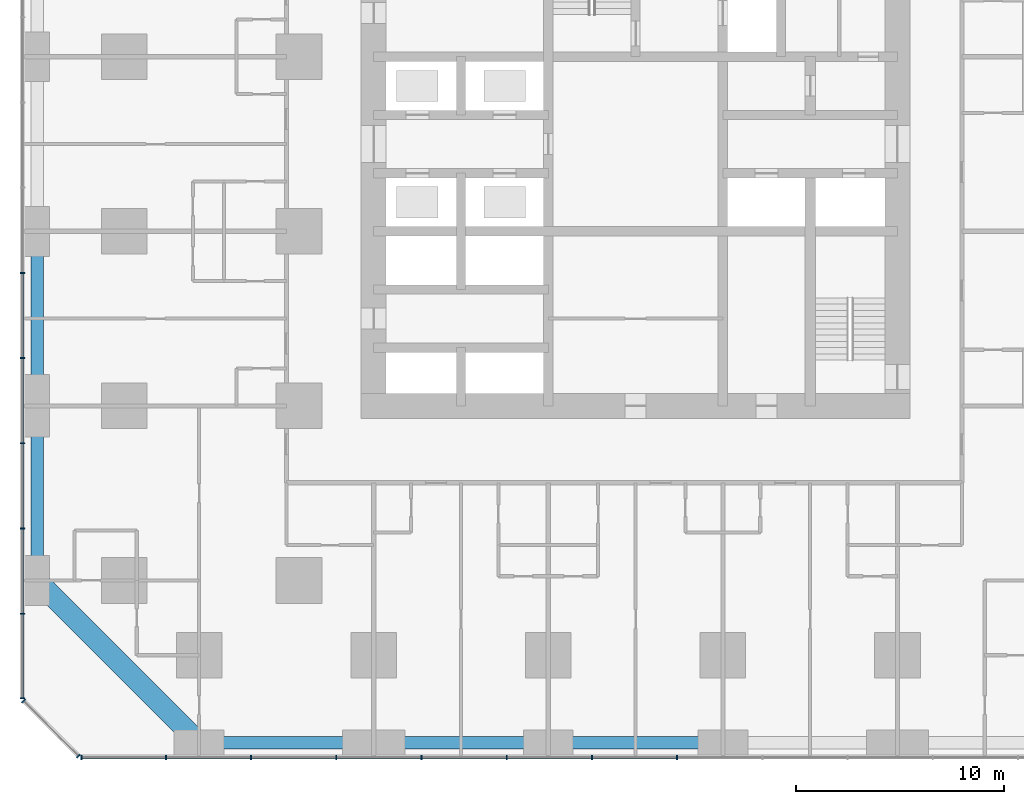
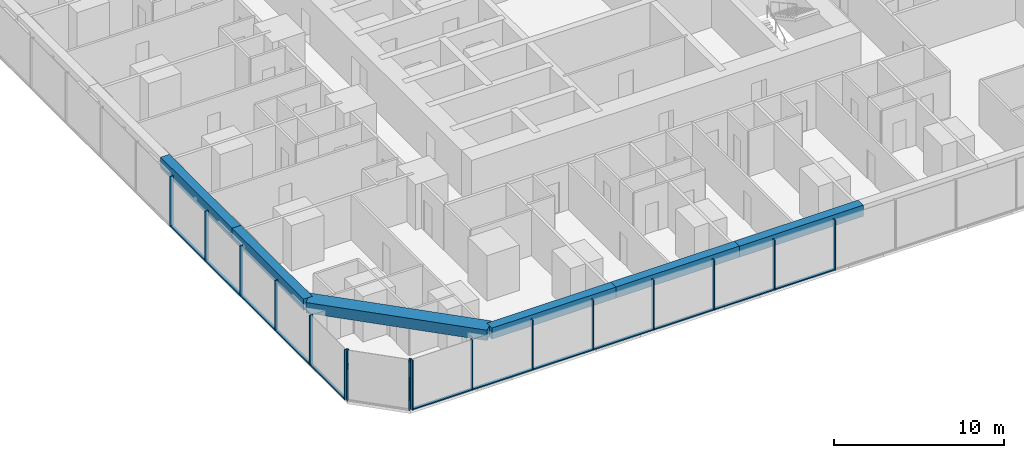
# One storey, part 2 of 16: 28 members, 6 beams, 3 elements without a shape of their own.
"""IFC4 building model written with IfcOpenShell, lengths in metres."""

import ifcopenshell
import ifcopenshell.guid

model = None  # the IFC model being written
_history = None  # IfcOwnerHistory: only IFC2X3 demands one
_inside = {}  # id of a spatial element -> (the spatial element, [elements in it])
_under = {}  # id of a project, library or spatial element -> (it, [spatial elements below it])
_declared = {}  # id of a project -> (the project, [libraries it declares])
_typed = {}  # id of a type object -> (the type object, [elements of that type])
_made_of = {}  # id of a material, layer set ... -> (it, [elements and type objects made of it])


def new_model(schema):
    """Start an empty IFC model of exactly this schema.

    Asked for "IFC4X3", IfcOpenShell would pick the latest addendum, in which some entities
    have other attributes; the version numbers below select the first issue.
    IFC2X3 requires an IfcOwnerHistory on every rooted entity: one is made here for all.
    """
    global model, _history
    if schema == "IFC4X3":
        model = ifcopenshell.file(schema_version=(4, 3, 0, 0))
    else:
        model = ifcopenshell.file(schema=schema)
    _inside.clear()
    _under.clear()
    _declared.clear()
    _typed.clear()
    _made_of.clear()
    _history = None
    if model.schema == "IFC2X3":
        org = make("IfcOrganization", Name="unknown")
        user = make(
            "IfcPersonAndOrganization",
            ThePerson=make("IfcPerson", FamilyName="unknown"),
            TheOrganization=org,
        )
        app = make(
            "IfcApplication",
            ApplicationDeveloper=org,
            Version="unknown",
            ApplicationFullName="unknown",
            ApplicationIdentifier="unknown",
        )
        _history = make(
            "IfcOwnerHistory",
            OwningUser=user,
            OwningApplication=app,
            ChangeAction="ADDED",
            CreationDate=0,
        )
    return model


def make(cls, **values):
    """One entity of the class cls with the attributes given. An attribute that is None is left unset."""
    return model.create_entity(
        cls, **{name: value for name, value in values.items() if value is not None}
    )


def rooted(cls, **values):
    """An entity with a GlobalId (a new one), such as an element, a storey or a relation."""
    return make(cls, GlobalId=ifcopenshell.guid.new(), OwnerHistory=_history, **values)


def si_unit(unit_type, name, prefix=None):
    """IfcSIUnit, for example si_unit("LENGTHUNIT", "METRE", prefix="MILLI")."""
    return make("IfcSIUnit", UnitType=unit_type, Prefix=prefix, Name=name)


def assignment(units):
    """IfcUnitAssignment: the units of a project."""
    return None if units is None else make("IfcUnitAssignment", Units=units)


def point(xyz):
    """IfcCartesianPoint."""
    return None if xyz is None else make("IfcCartesianPoint", Coordinates=xyz)


def direction(xyz):
    """IfcDirection."""
    return None if xyz is None else make("IfcDirection", DirectionRatios=xyz)


def frame(location, z_axis=None, x_axis=None):
    """IfcAxis2Placement3D, a coordinate frame: its origin and axes. An axis left out is left unset."""
    return make(
        "IfcAxis2Placement3D",
        Location=point(location),
        Axis=direction(z_axis),
        RefDirection=direction(x_axis),
    )


def frame_2d(location, x_axis=None):
    """IfcAxis2Placement2D, a coordinate frame in the plane: its origin and x axis."""
    return make(
        "IfcAxis2Placement2D", Location=point(location), RefDirection=direction(x_axis)
    )


def origin():
    """The frame at (0, 0, 0) with its axes left unset."""
    return frame((0.0, 0.0, 0.0))


def origin_2d():
    """The frame at (0, 0) in the plane with its x axis left unset."""
    return frame_2d((0.0, 0.0))


def place(relative_to, where):
    """IfcLocalPlacement: puts the frame where relative to a parent placement (None: the world)."""
    return make(
        "IfcLocalPlacement", PlacementRelTo=relative_to, RelativePlacement=where
    )


def context(
    kind, dimensions, precision=None, world=None, true_north=None, identifier=None
):
    """IfcGeometricRepresentationContext, for example the 3D "Model" context."""
    return make(
        "IfcGeometricRepresentationContext",
        ContextIdentifier=identifier,
        ContextType=kind,
        CoordinateSpaceDimension=dimensions,
        Precision=precision,
        WorldCoordinateSystem=world,
        TrueNorth=true_north,
    )


def subcontext(parent, identifier, kind, view, scale=None):
    """IfcGeometricRepresentationSubContext, for example "Body" below "Model"."""
    return make(
        "IfcGeometricRepresentationSubContext",
        ContextIdentifier=identifier,
        ContextType=kind,
        ParentContext=parent,
        TargetScale=scale,
        TargetView=view,
    )


def project(units=None, contexts=None):
    """IfcProject with its units and contexts."""
    return rooted(
        "IfcProject",
        Name="project",
        RepresentationContexts=contexts,
        UnitsInContext=assignment(units),
    )


def spatial(cls, under=None, at=None, **own):
    """A site, building, storey or space (cls), placed at a placement, below another one or the project."""
    s = rooted(cls, ObjectPlacement=at, **own)
    if under is not None:
        _under.setdefault(under.id(), (under, []))[1].append(s)
    return s


def profile(cls, at=None, kind="AREA", **sizes):
    """A parametric profile (cls). Its sizes go by their IFC names, for example OverallWidth=200.0."""
    return make(cls, ProfileType=kind, Position=at, **sizes)


def rectangle(**sizes):
    """IfcRectangleProfileDef."""
    return profile("IfcRectangleProfileDef", **sizes)


def extrude(swept, where, along, depth):
    """IfcExtrudedAreaSolid: the profile swept, set in the frame where, extruded along a direction by depth."""
    return make(
        "IfcExtrudedAreaSolid",
        SweptArea=swept,
        Position=where,
        ExtrudedDirection=direction(along),
        Depth=depth,
    )


def shape(context_of_items, identifier, shape_type, items):
    """IfcShapeRepresentation: the items that make up one representation, for example the "Body"."""
    return make(
        "IfcShapeRepresentation",
        ContextOfItems=context_of_items,
        RepresentationIdentifier=identifier,
        RepresentationType=shape_type,
        Items=items,
    )


def material(Name=None, Category=None):
    """IfcMaterial."""
    return make("IfcMaterial", Name=Name, Category=Category)


def material_profile(
    of_material, cross_section, Name=None, Category=None, Priority=None
):
    """IfcMaterialProfile: a cross section and its material."""
    return make(
        "IfcMaterialProfile",
        Name=Name,
        Material=of_material,
        Profile=cross_section,
        Priority=Priority,
        Category=Category,
    )


def profile_set(profiles, Name=None, composite=None):
    """IfcMaterialProfileSet."""
    return make(
        "IfcMaterialProfileSet",
        Name=Name,
        MaterialProfiles=profiles,
        CompositeProfile=composite,
    )


def made_of(thing, what):
    """Note that an element or type object is made of a material, layer set ...; save() writes the relation."""
    if what is not None:
        _made_of.setdefault(what.id(), (what, []))[1].append(thing)
    return thing


def type_object(cls, material=None, **own):
    """A type object (cls), such as IfcWallType, which elements share."""
    return made_of(rooted(cls, **own), material)


def element(
    cls,
    number,
    at=None,
    inside=None,
    cuts=None,
    type_object=None,
    material=None,
    context=None,
    identifier="Body",
    shape_type=None,
    held_by="IfcProductDefinitionShape",
    body=None,
    shapes=None,
    **own,
):
    """One element of the class cls, such as IfcWall. Its Tag is "e" and its number.

    at: its placement. inside: the storey or other place that contains it. cuts: it is an
    opening in that element (IfcRelVoidsElement). A single representation is given by context,
    identifier, shape_type and body (its items); several are given by shapes. held_by: the class
    of the entity that holds the representations. save() writes the other relations.
    """
    e = rooted(cls, Tag="e%d" % number, ObjectPlacement=at, **own)
    if body is not None:
        shapes = [shape(context, identifier, shape_type, body)]
    if shapes is not None:
        e.Representation = make(held_by, Representations=shapes)
    if inside is not None:
        _inside.setdefault(inside.id(), (inside, []))[1].append(e)
    if cuts is not None:
        rooted(
            "IfcRelVoidsElement", RelatingBuildingElement=cuts, RelatedOpeningElement=e
        )
    if type_object is not None:
        _typed.setdefault(type_object.id(), (type_object, []))[1].append(e)
    return made_of(e, material)


def aggregate(whole, parts):
    """IfcRelAggregates: a whole, such as a stair, and the parts it consists of."""
    return rooted("IfcRelAggregates", RelatingObject=whole, RelatedObjects=parts)


def save(model, path):
    """Write the relations noted so far, then the file.

    IfcRelAggregates (storeys below a building ...), IfcRelContainedInSpatialStructure (elements
    in a storey), IfcRelDefinesByType, IfcRelAssociatesMaterial and IfcRelDeclares: one each for
    every whole, place, type object, material and project.
    """
    for whole, parts in _under.values():
        aggregate(whole, parts)
    for where, things in _inside.values():
        rooted(
            "IfcRelContainedInSpatialStructure",
            RelatedElements=things,
            RelatingStructure=where,
        )
    for kind, things in _typed.values():
        rooted("IfcRelDefinesByType", RelatedObjects=things, RelatingType=kind)
    for what, things in _made_of.values():
        rooted("IfcRelAssociatesMaterial", RelatedObjects=things, RelatingMaterial=what)
    for by, libraries in _declared.values():
        rooted("IfcRelDeclares", RelatingContext=by, RelatedDefinitions=libraries)
    model.write(path)


model = new_model("IFC4")

# Units and contexts
model_context = context("Model", 3, precision=1e-05, world=origin(), true_north=direction((0.0, 1.0)))
body_context = subcontext(model_context, "Body", "Model", "MODEL_VIEW")
ifc_project = project(units=[si_unit("LENGTHUNIT", "METRE"), si_unit("AREAUNIT", "SQUARE_METRE"), si_unit("VOLUMEUNIT", "CUBIC_METRE"), si_unit("PLANEANGLEUNIT", "RADIAN"), si_unit("MASSUNIT", "GRAM", prefix="KILO")], contexts=[model_context])

# Site, building, storey
site_placement = place(None, origin())
site = spatial("IfcSite", under=ifc_project, at=site_placement, CompositionType="ELEMENT")
building_placement = place(site_placement, origin())
building = spatial("IfcBuilding", under=site, at=building_placement, Name="Dunama Terrace Hotel", CompositionType="ELEMENT")
storey_placement = place(building_placement, frame((0.0, 0.0, 93.60009765625)))
storey = spatial("IfcBuildingStorey", under=building, at=storey_placement, Name="L23", CompositionType="ELEMENT", Elevation=93.60009765625)

# Curtain wall, members
ifc_material_1 = material(Name="Aluminium curtain wall system", Category="aluminium")
curtain_wall_type = type_object("IfcCurtainWallType", Name="Unitised fritted glass wall CW-B", PredefinedType="NOTDEFINED", material=ifc_material_1)
curtain_wall_1_placement = place(storey_placement, origin())
curtain_wall_1 = element("IfcCurtainWall", 1, at=curtain_wall_1_placement, inside=storey, type_object=curtain_wall_type, Name="Unitised fritted glass wall CW-B L23", PredefinedType="NOTDEFINED")
ifc_material_2 = material(Name="Aluminium mullion", Category="aluminium")
ifc_material_profile_1 = material_profile(ifc_material_2, rectangle(XDim=0.06494140625, YDim=0.219970703125, at=origin_2d()), Name="CWB MULLION 65X220")
ifc_profile_set_1 = profile_set([ifc_material_profile_1], Name="Aluminium mullion")
member_type_1 = type_object("IfcMemberType", Name="CWB mullion 65x220", PredefinedType="MULLION", material=ifc_profile_set_1)
member_1_placement = place(storey_placement, frame((2.73291015625, -0.110107421875, 0.0), z_axis=(0.0, 0.0, 1.0), x_axis=(1.0, 0.0, 0.0)))
member_1 = element("IfcMember", 2, at=member_1_placement, type_object=member_type_1, Name="CWB mullion", PredefinedType="MULLION", context=body_context, shape_type="SweptSolid", body=[
    extrude(rectangle(XDim=0.06494140625, YDim=0.219970703125, at=origin_2d()), origin(), (0.0, 0.0, 1.0), 3.599853515625),
])
member_2_placement = place(storey_placement, frame((6.800048828125, -0.110107421875, 0.0), z_axis=(0.0, 0.0, 1.0), x_axis=(1.0, 0.0, 0.0)))
member_2 = element("IfcMember", 3, at=member_2_placement, type_object=member_type_1, Name="CWB mullion", PredefinedType="MULLION", context=body_context, shape_type="SweptSolid", body=[
    extrude(rectangle(XDim=0.06494140625, YDim=0.219970703125, at=origin_2d()), origin(), (0.0, 0.0, 1.0), 3.599853515625),
])
member_3_placement = place(storey_placement, frame((10.89990234375, -0.110107421875, 0.0), z_axis=(0.0, 0.0, 1.0), x_axis=(1.0, 0.0, 0.0)))
member_3 = element("IfcMember", 4, at=member_3_placement, type_object=member_type_1, Name="CWB mullion", PredefinedType="MULLION", context=body_context, shape_type="SweptSolid", body=[
    extrude(rectangle(XDim=0.06494140625, YDim=0.219970703125, at=origin_2d()), origin(), (0.0, 0.0, 1.0), 3.599853515625),
])
member_4_placement = place(storey_placement, frame((15.0, -0.110107421875, 0.0), z_axis=(0.0, 0.0, 1.0), x_axis=(1.0, 0.0, 0.0)))
member_4 = element("IfcMember", 5, at=member_4_placement, type_object=member_type_1, Name="CWB mullion", PredefinedType="MULLION", context=body_context, shape_type="SweptSolid", body=[
    extrude(rectangle(XDim=0.06494140625, YDim=0.219970703125, at=origin_2d()), origin(), (0.0, 0.0, 1.0), 3.599853515625),
])
member_5_placement = place(storey_placement, frame((19.10009765625, -0.110107421875, 0.0), z_axis=(0.0, 0.0, 1.0), x_axis=(1.0, 0.0, 0.0)))
member_5 = element("IfcMember", 6, at=member_5_placement, type_object=member_type_1, Name="CWB mullion", PredefinedType="MULLION", context=body_context, shape_type="SweptSolid", body=[
    extrude(rectangle(XDim=0.06494140625, YDim=0.219970703125, at=origin_2d()), origin(), (0.0, 0.0, 1.0), 3.599853515625),
])
member_6_placement = place(storey_placement, frame((23.199951171875, -0.110107421875, 0.0), z_axis=(0.0, 0.0, 1.0), x_axis=(1.0, 0.0, 0.0)))
member_6 = element("IfcMember", 7, at=member_6_placement, type_object=member_type_1, Name="CWB mullion", PredefinedType="MULLION", context=body_context, shape_type="SweptSolid", body=[
    extrude(rectangle(XDim=0.06494140625, YDim=0.219970703125, at=origin_2d()), origin(), (0.0, 0.0, 1.0), 3.599853515625),
])
member_7_placement = place(storey_placement, frame((27.300048828125, -0.110107421875, 0.0), z_axis=(0.0, 0.0, 1.0), x_axis=(1.0, 0.0, 0.0)))
member_7 = element("IfcMember", 8, at=member_7_placement, type_object=member_type_1, Name="CWB mullion", PredefinedType="MULLION", context=body_context, shape_type="SweptSolid", body=[
    extrude(rectangle(XDim=0.06494140625, YDim=0.219970703125, at=origin_2d()), origin(), (0.0, 0.0, 1.0), 3.599853515625),
])
member_8_placement = place(storey_placement, frame((31.39990234375, -0.110107421875, 0.0), z_axis=(0.0, 0.0, 1.0), x_axis=(1.0, 0.0, 0.0)))
member_8 = element("IfcMember", 9, at=member_8_placement, type_object=member_type_1, Name="CWB mullion", PredefinedType="MULLION", context=body_context, shape_type="SweptSolid", body=[
    extrude(rectangle(XDim=0.06494140625, YDim=0.219970703125, at=origin_2d()), origin(), (0.0, 0.0, 1.0), 3.599853515625),
])

curtain_wall_2_placement = place(storey_placement, origin())
curtain_wall_2 = element("IfcCurtainWall", 10, at=curtain_wall_2_placement, inside=storey, type_object=curtain_wall_type, Name="Unitised fritted glass wall CW-B L23", PredefinedType="NOTDEFINED")
member_9_placement = place(storey_placement, frame((-0.110107421875, 23.199951171875, 0.0), z_axis=(0.0, 0.0, 1.0), x_axis=(0.0, -1.0, 0.0)))
member_9 = element("IfcMember", 11, at=member_9_placement, type_object=member_type_1, Name="CWB mullion", PredefinedType="MULLION", context=body_context, shape_type="SweptSolid", body=[
    extrude(rectangle(XDim=0.06494140625, YDim=0.219970703125, at=origin_2d()), origin(), (0.0, 0.0, 1.0), 3.599853515625),
])
member_10_placement = place(storey_placement, frame((-0.110107421875, 19.10009765625, 0.0), z_axis=(0.0, 0.0, 1.0), x_axis=(0.0, -1.0, 0.0)))
member_10 = element("IfcMember", 12, at=member_10_placement, type_object=member_type_1, Name="CWB mullion", PredefinedType="MULLION", context=body_context, shape_type="SweptSolid", body=[
    extrude(rectangle(XDim=0.06494140625, YDim=0.219970703125, at=origin_2d()), origin(), (0.0, 0.0, 1.0), 3.599853515625),
])
member_11_placement = place(storey_placement, frame((-0.110107421875, 15.0, 0.0), z_axis=(0.0, 0.0, 1.0), x_axis=(0.0, -1.0, 0.0)))
member_11 = element("IfcMember", 13, at=member_11_placement, type_object=member_type_1, Name="CWB mullion", PredefinedType="MULLION", context=body_context, shape_type="SweptSolid", body=[
    extrude(rectangle(XDim=0.06494140625, YDim=0.219970703125, at=origin_2d()), origin(), (0.0, 0.0, 1.0), 3.599853515625),
])
member_12_placement = place(storey_placement, frame((-0.110107421875, 10.89990234375, 0.0), z_axis=(0.0, 0.0, 1.0), x_axis=(0.0, -1.0, 0.0)))
member_12 = element("IfcMember", 14, at=member_12_placement, type_object=member_type_1, Name="CWB mullion", PredefinedType="MULLION", context=body_context, shape_type="SweptSolid", body=[
    extrude(rectangle(XDim=0.06494140625, YDim=0.219970703125, at=origin_2d()), origin(), (0.0, 0.0, 1.0), 3.599853515625),
])
member_13_placement = place(storey_placement, frame((-0.110107421875, 6.800048828125, 0.0), z_axis=(0.0, 0.0, 1.0), x_axis=(0.0, -1.0, 0.0)))
member_13 = element("IfcMember", 15, at=member_13_placement, type_object=member_type_1, Name="CWB mullion", PredefinedType="MULLION", context=body_context, shape_type="SweptSolid", body=[
    extrude(rectangle(XDim=0.06494140625, YDim=0.219970703125, at=origin_2d()), origin(), (0.0, 0.0, 1.0), 3.599853515625),
])
member_14_placement = place(storey_placement, frame((-0.110107421875, 2.73291015625, 0.0), z_axis=(0.0, 0.0, 1.0), x_axis=(0.0, -1.0, 0.0)))
member_14 = element("IfcMember", 16, at=member_14_placement, type_object=member_type_1, Name="CWB mullion", PredefinedType="MULLION", context=body_context, shape_type="SweptSolid", body=[
    extrude(rectangle(XDim=0.06494140625, YDim=0.219970703125, at=origin_2d()), origin(), (0.0, 0.0, 1.0), 3.599853515625),
])

curtain_wall_3_placement = place(storey_placement, origin())
curtain_wall_3 = element("IfcCurtainWall", 17, at=curtain_wall_3_placement, inside=storey, type_object=curtain_wall_type, Name="Unitised fritted glass wall CW-B L23", PredefinedType="NOTDEFINED")
member_15_placement = place(storey_placement, frame((-0.054931640625, 2.59912109375, 0.0), z_axis=(0.0, 0.0, 1.0), x_axis=(0.707106781187, -0.707106781187, 0.0)))
member_15 = element("IfcMember", 18, at=member_15_placement, type_object=member_type_1, Name="CWB mullion", PredefinedType="MULLION", context=body_context, shape_type="SweptSolid", body=[
    extrude(rectangle(XDim=0.06494140625, YDim=0.219970703125, at=origin_2d()), origin(), (0.0, 0.0, 1.0), 3.599853515625),
])
member_16_placement = place(storey_placement, frame((2.59912109375, -0.054931640625, 0.0), z_axis=(0.0, 0.0, 1.0), x_axis=(0.707106781187, -0.707106781187, 0.0)))
member_16 = element("IfcMember", 19, at=member_16_placement, type_object=member_type_1, Name="CWB mullion", PredefinedType="MULLION", context=body_context, shape_type="SweptSolid", body=[
    extrude(rectangle(XDim=0.06494140625, YDim=0.219970703125, at=origin_2d()), origin(), (0.0, 0.0, 1.0), 3.599853515625),
])
aggregate(curtain_wall_3, [member_15, member_16])

# Member
ifc_material_3 = material(Name="Aluminium transom", Category="aluminium")
ifc_material_profile_2 = material_profile(ifc_material_3, rectangle(XDim=0.179931640625, YDim=0.080078125, at=origin_2d()), Name="CWB TRANSOM 180X80")
ifc_profile_set_2 = profile_set([ifc_material_profile_2], Name="Aluminium transom")
member_type_2 = type_object("IfcMemberType", Name="CWB transom 180x80", PredefinedType="USERDEFINED", material=ifc_profile_set_2)
member_17_placement = place(storey_placement, frame((2.764892578125, -0.110107421875, 0.039794921875), z_axis=(1.0, 0.0, 0.0), x_axis=(0.0, 1.0, 0.0)))
member_17 = element("IfcMember", 20, at=member_17_placement, type_object=member_type_2, Name="CWB transom", ObjectType="TRANSOM", PredefinedType="USERDEFINED", context=body_context, shape_type="SweptSolid", body=[
    extrude(rectangle(XDim=0.179931640625, YDim=0.080078125, at=origin_2d()), origin(), (0.0, 0.0, 1.0), 4.003173828125),
])

member_18_placement = place(storey_placement, frame((6.83203125, -0.110107421875, 0.039794921875), z_axis=(1.0, 0.0, 0.0), x_axis=(0.0, 1.0, 0.0)))
member_18 = element("IfcMember", 21, at=member_18_placement, type_object=member_type_2, Name="CWB transom", ObjectType="TRANSOM", PredefinedType="USERDEFINED", context=body_context, shape_type="SweptSolid", body=[
    extrude(rectangle(XDim=0.179931640625, YDim=0.080078125, at=origin_2d()), origin(), (0.0, 0.0, 1.0), 4.034912109375),
])

member_19_placement = place(storey_placement, frame((10.93310546875, -0.110107421875, 0.039794921875), z_axis=(1.0, 0.0, 0.0), x_axis=(0.0, 1.0, 0.0)))
member_19 = element("IfcMember", 22, at=member_19_placement, type_object=member_type_2, Name="CWB transom", ObjectType="TRANSOM", PredefinedType="USERDEFINED", context=body_context, shape_type="SweptSolid", body=[
    extrude(rectangle(XDim=0.179931640625, YDim=0.080078125, at=origin_2d()), origin(), (0.0, 0.0, 1.0), 4.033935546875),
])

member_20_placement = place(storey_placement, frame((15.031982421875, -0.110107421875, 0.039794921875), z_axis=(1.0, 0.0, 0.0), x_axis=(0.0, 1.0, 0.0)))
member_20 = element("IfcMember", 23, at=member_20_placement, type_object=member_type_2, Name="CWB transom", ObjectType="TRANSOM", PredefinedType="USERDEFINED", context=body_context, shape_type="SweptSolid", body=[
    extrude(rectangle(XDim=0.179931640625, YDim=0.080078125, at=origin_2d()), origin(), (0.0, 0.0, 1.0), 4.034912109375),
])

member_21_placement = place(storey_placement, frame((19.132080078125, -0.110107421875, 0.039794921875), z_axis=(1.0, 0.0, 0.0), x_axis=(0.0, 1.0, 0.0)))
member_21 = element("IfcMember", 24, at=member_21_placement, type_object=member_type_2, Name="CWB transom", ObjectType="TRANSOM", PredefinedType="USERDEFINED", context=body_context, shape_type="SweptSolid", body=[
    extrude(rectangle(XDim=0.179931640625, YDim=0.080078125, at=origin_2d()), origin(), (0.0, 0.0, 1.0), 4.035888671875),
])

member_22_placement = place(storey_placement, frame((23.23193359375, -0.110107421875, 0.039794921875), z_axis=(1.0, 0.0, 0.0), x_axis=(0.0, 1.0, 0.0)))
member_22 = element("IfcMember", 25, at=member_22_placement, type_object=member_type_2, Name="CWB transom", ObjectType="TRANSOM", PredefinedType="USERDEFINED", context=body_context, shape_type="SweptSolid", body=[
    extrude(rectangle(XDim=0.179931640625, YDim=0.080078125, at=origin_2d()), origin(), (0.0, 0.0, 1.0), 4.03515625),
])

member_23_placement = place(storey_placement, frame((27.33203125, -0.110107421875, 0.039794921875), z_axis=(1.0, 0.0, 0.0), x_axis=(0.0, 1.0, 0.0)))
member_23 = element("IfcMember", 26, at=member_23_placement, type_object=member_type_2, Name="CWB transom", ObjectType="TRANSOM", PredefinedType="USERDEFINED", context=body_context, shape_type="SweptSolid", body=[
    extrude(rectangle(XDim=0.179931640625, YDim=0.080078125, at=origin_2d()), origin(), (0.0, 0.0, 1.0), 4.034912109375),
])

aggregate(curtain_wall_1, [member_1, member_2, member_3, member_4, member_5, member_6, member_7, member_8, member_17, member_18, member_19, member_20, member_21, member_22, member_23])

member_24_placement = place(storey_placement, frame((-0.110107421875, 23.16796875, 0.039794921875), z_axis=(0.0, -1.0, 0.0), x_axis=(1.0, 0.0, 0.0)))
member_24 = element("IfcMember", 27, at=member_24_placement, type_object=member_type_2, Name="CWB transom", ObjectType="TRANSOM", PredefinedType="USERDEFINED", context=body_context, shape_type="SweptSolid", body=[
    extrude(rectangle(XDim=0.179931640625, YDim=0.080078125, at=origin_2d()), origin(), (0.0, 0.0, 1.0), 4.034912109375),
])

member_25_placement = place(storey_placement, frame((-0.110107421875, 19.068115234375, 0.039794921875), z_axis=(0.0, -1.0, 0.0), x_axis=(1.0, 0.0, 0.0)))
member_25 = element("IfcMember", 28, at=member_25_placement, type_object=member_type_2, Name="CWB transom", ObjectType="TRANSOM", PredefinedType="USERDEFINED", context=body_context, shape_type="SweptSolid", body=[
    extrude(rectangle(XDim=0.179931640625, YDim=0.080078125, at=origin_2d()), origin(), (0.0, 0.0, 1.0), 4.0361328125),
])

member_26_placement = place(storey_placement, frame((-0.110107421875, 14.968017578125, 0.039794921875), z_axis=(0.0, -1.0, 0.0), x_axis=(1.0, 0.0, 0.0)))
member_26 = element("IfcMember", 29, at=member_26_placement, type_object=member_type_2, Name="CWB transom", ObjectType="TRANSOM", PredefinedType="USERDEFINED", context=body_context, shape_type="SweptSolid", body=[
    extrude(rectangle(XDim=0.179931640625, YDim=0.080078125, at=origin_2d()), origin(), (0.0, 0.0, 1.0), 4.0361328125),
])

member_27_placement = place(storey_placement, frame((-0.110107421875, 10.866943359375, 0.039794921875), z_axis=(0.0, -1.0, 0.0), x_axis=(1.0, 0.0, 0.0)))
member_27 = element("IfcMember", 30, at=member_27_placement, type_object=member_type_2, Name="CWB transom", ObjectType="TRANSOM", PredefinedType="USERDEFINED", context=body_context, shape_type="SweptSolid", body=[
    extrude(rectangle(XDim=0.179931640625, YDim=0.080078125, at=origin_2d()), origin(), (0.0, 0.0, 1.0), 4.033935546875),
])

member_28_placement = place(storey_placement, frame((-0.110107421875, 6.76806640625, 0.039794921875), z_axis=(0.0, -1.0, 0.0), x_axis=(1.0, 0.0, 0.0)))
member_28 = element("IfcMember", 31, at=member_28_placement, type_object=member_type_2, Name="CWB transom", ObjectType="TRANSOM", PredefinedType="USERDEFINED", context=body_context, shape_type="SweptSolid", body=[
    extrude(rectangle(XDim=0.179931640625, YDim=0.080078125, at=origin_2d()), origin(), (0.0, 0.0, 1.0), 4.003173828125),
])

aggregate(curtain_wall_2, [member_9, member_10, member_11, member_12, member_13, member_14, member_24, member_25, member_26, member_27, member_28])

# Beams
ifc_material_4 = material(Name="Concrete C50/60", Category="concrete")
ifc_material_profile_3 = material_profile(ifc_material_4, rectangle(XDim=1.0, YDim=0.75, at=origin_2d()), Name="RC 1000x750")
ifc_profile_set_3 = profile_set([ifc_material_profile_3], Name="Concrete C50/60")
beam_type_1 = type_object("IfcBeamType", Name="Edge beam RC 1000x750", PredefinedType="SPANDREL", material=ifc_profile_set_3)
beam_1_placement = place(storey_placement, frame((8.39990234375, 0.60009765625, 3.224853515625), z_axis=(-0.707106781187, 0.707106781187, 0.0), x_axis=(-0.707106781187, -0.707106781187, 0.0)))
element("IfcBeam", 32, at=beam_1_placement, inside=storey, type_object=beam_type_1, Name="Corner edge beam under L24", PredefinedType="SPANDREL", context=body_context, shape_type="SweptSolid", body=[
    extrude(rectangle(XDim=1.0, YDim=0.75, at=origin_2d()), origin(), (0.0, 0.0, 1.0), 11.030517578125),
])
ifc_material_5 = material(Name="Concrete C40/50", Category="concrete")
ifc_material_profile_4 = material_profile(ifc_material_5, rectangle(XDim=0.60009765625, YDim=0.800048828125, at=origin_2d()), Name="RC 600x800")
ifc_profile_set_4 = profile_set([ifc_material_profile_4], Name="Concrete C40/50")
beam_type_2 = type_object("IfcBeamType", Name="Edge beam RC 600x800", PredefinedType="SPANDREL", material=ifc_profile_set_4)
beam_2_placement = place(storey_placement, frame((0.60009765625, 8.39990234375, 3.199951171875), z_axis=(0.0, 1.0, 0.0), x_axis=(-1.0, 0.0, 0.0)))
element("IfcBeam", 33, at=beam_2_placement, inside=storey, type_object=beam_type_2, Name="Edge beam under L24", PredefinedType="SPANDREL", context=body_context, shape_type="SweptSolid", body=[
    extrude(rectangle(XDim=0.60009765625, YDim=0.800048828125, at=origin_2d()), origin(), (0.0, 0.0, 1.0), 8.400146484375),
])
beam_3_placement = place(storey_placement, frame((0.60009765625, 16.800048828125, 3.199951171875), z_axis=(0.0, 1.0, 0.0), x_axis=(-1.0, 0.0, 0.0)))
element("IfcBeam", 34, at=beam_3_placement, inside=storey, type_object=beam_type_2, Name="Edge beam under L24", PredefinedType="SPANDREL", context=body_context, shape_type="SweptSolid", body=[
    extrude(rectangle(XDim=0.60009765625, YDim=0.800048828125, at=origin_2d()), origin(), (0.0, 0.0, 1.0), 8.39990234375),
])
beam_4_placement = place(storey_placement, frame((8.39990234375, 0.60009765625, 3.199951171875), z_axis=(1.0, 0.0, 0.0), x_axis=(0.0, 1.0, 0.0)))
element("IfcBeam", 35, at=beam_4_placement, inside=storey, type_object=beam_type_2, Name="Edge beam under L24", PredefinedType="SPANDREL", context=body_context, shape_type="SweptSolid", body=[
    extrude(rectangle(XDim=0.60009765625, YDim=0.800048828125, at=origin_2d()), origin(), (0.0, 0.0, 1.0), 8.400146484375),
])
beam_5_placement = place(storey_placement, frame((16.800048828125, 0.60009765625, 3.199951171875), z_axis=(1.0, 0.0, 0.0), x_axis=(0.0, 1.0, 0.0)))
element("IfcBeam", 36, at=beam_5_placement, inside=storey, type_object=beam_type_2, Name="Edge beam under L24", PredefinedType="SPANDREL", context=body_context, shape_type="SweptSolid", body=[
    extrude(rectangle(XDim=0.60009765625, YDim=0.800048828125, at=origin_2d()), origin(), (0.0, 0.0, 1.0), 8.39990234375),
])
beam_6_placement = place(storey_placement, frame((25.199951171875, 0.60009765625, 3.199951171875), z_axis=(1.0, 0.0, 0.0), x_axis=(0.0, 1.0, 0.0)))
element("IfcBeam", 37, at=beam_6_placement, inside=storey, type_object=beam_type_2, Name="Edge beam under L24", PredefinedType="SPANDREL", context=body_context, shape_type="SweptSolid", body=[
    extrude(rectangle(XDim=0.60009765625, YDim=0.800048828125, at=origin_2d()), origin(), (0.0, 0.0, 1.0), 8.400146484375),
])

save(model, "model.ifc")
